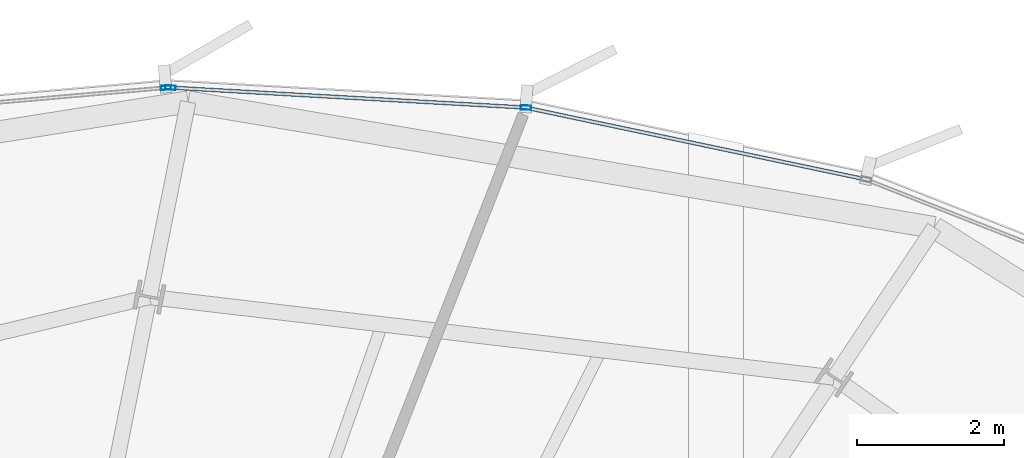
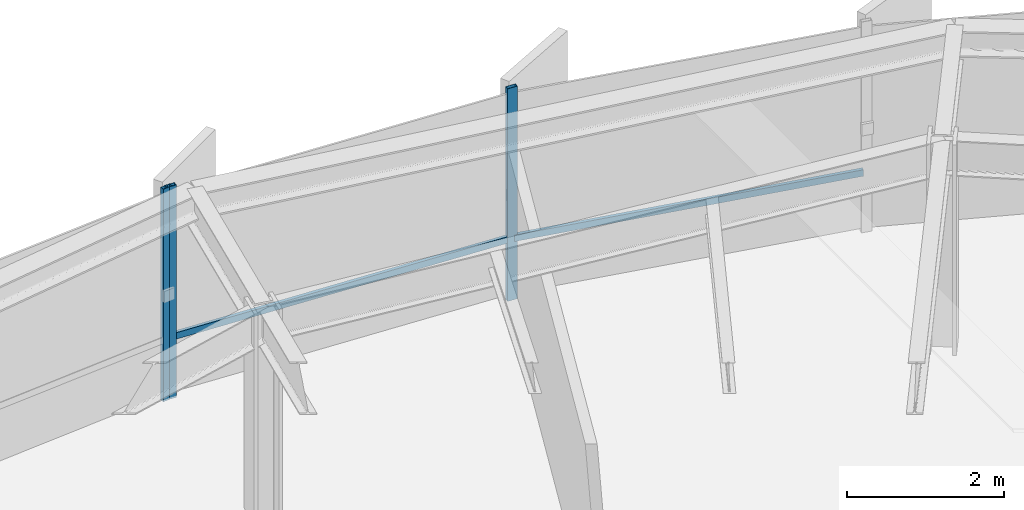
# One storey, part 27 of 35: 5 members, 2 elements without a shape of their own.
"""IFC4 building model written with IfcOpenShell, lengths in metres."""

from ifc_helpers import new_model, si_unit, direction, frame, origin, origin_2d, place, context, subcontext, project, spatial, hollow_rectangle, extrude, source, transform, mapped, material, layer, layer_set, material_profile, profile_set, type_object, element, aggregate, save


model = new_model("IFC4")

# Units and contexts
model_context = context("Model", 3, precision=1e-05, world=origin(), true_north=direction((0.0, 1.0)))
body_context = subcontext(model_context, "Body", "Model", "MODEL_VIEW")
ifc_project = project(units=[si_unit("LENGTHUNIT", "METRE"), si_unit("AREAUNIT", "SQUARE_METRE"), si_unit("VOLUMEUNIT", "CUBIC_METRE"), si_unit("PLANEANGLEUNIT", "RADIAN"), si_unit("MASSUNIT", "GRAM", prefix="KILO"), si_unit("THERMODYNAMICTEMPERATUREUNIT", "KELVIN")], contexts=[model_context])

# Site, building, storey
site_placement = place(None, origin())
site = spatial("IfcSite", under=ifc_project, at=site_placement, CompositionType="ELEMENT")
building_placement = place(site_placement, origin())
building = spatial("IfcBuilding", under=site, at=building_placement, Name="Kethvar Cultural Tower", CompositionType="ELEMENT")
storey_placement = place(building_placement, frame((0.0, 0.0, 135.89990234375)))
storey = spatial("IfcBuildingStorey", under=building, at=storey_placement, Name="L34", CompositionType="ELEMENT", Elevation=135.89990234375)

# Curtain wall, members
ifc_material = material(Name="Aluminium 6063-T6", Category="aluminium")
ifc_layer = layer(ifc_material, 0.179931640625, Name="Aluminium 6063-T6", Category="aluminium")
ifc_layer_set = layer_set([ifc_layer], Name="Aluminium 6063-T6 (180 mm)")
curtain_wall_type = type_object("IfcCurtainWallType", Name="CW-SYS-04-Z34", PredefinedType="NOTDEFINED", material=ifc_layer_set)
curtain_wall_1_placement = place(storey_placement, origin())
curtain_wall_1 = element("IfcCurtainWall", 1, at=curtain_wall_1_placement, inside=storey, type_object=curtain_wall_type, Name="L34 Curtain Wall Run 01", PredefinedType="NOTDEFINED")
ifc_material_profile_1 = material_profile(ifc_material, hollow_rectangle(XDim=0.06005859375, YDim=0.139892578125, WallThickness=0.0048828125, at=origin_2d()), Name="Aluminium 6063-T6 — RHS140x60x5")
ifc_profile_set_1 = profile_set([ifc_material_profile_1], Name="Aluminium 6063-T6 — RHS140x60x5")
member_type_1 = type_object("IfcMemberType", Name="CW-SYS-04-Z34-MUL", PredefinedType="MULLION", material=ifc_profile_set_1)
shared_shape_1 = source(origin(), body_context, "Body", "SweptSolid", [
    extrude(hollow_rectangle(XDim=0.06005859375, YDim=0.139892578125, WallThickness=0.0048828125, at=origin_2d()), origin(), (0.0, 0.0, 1.0), 3.300048828125),
])
member_1_placement = place(storey_placement, frame((56.203369140625, 51.841552734375, 0.0), z_axis=(0.0, 0.0, 1.0), x_axis=(-0.056082894258, -0.99842611593, 0.0)))
member_1 = element("IfcMember", 2, at=member_1_placement, type_object=member_type_1, Name="CW-L34-R01 Mullion 6", PredefinedType="MULLION", context=body_context, shape_type="MappedRepresentation", body=[
    mapped(shared_shape_1, transform((0.0, 0.0, 0.0), scale=1.0)),
])
member_2_placement = place(storey_placement, frame((51.355224609375, 52.11376953125, 0.0), z_axis=(0.0, 0.0, 1.0), x_axis=(-0.056082894258, -0.99842611593, 0.0)))
member_2 = element("IfcMember", 3, at=member_2_placement, type_object=member_type_1, Name="CW-L34-R01 Mullion 7", PredefinedType="MULLION", context=body_context, shape_type="MappedRepresentation", body=[
    mapped(shared_shape_1, transform((0.0, 0.0, 0.0), scale=1.0)),
])

# Curtain wall, member
curtain_wall_2_placement = place(storey_placement, origin())
curtain_wall_2 = element("IfcCurtainWall", 4, at=curtain_wall_2_placement, inside=storey, type_object=curtain_wall_type, Name="L34 Curtain Wall Run 02", PredefinedType="NOTDEFINED")
member_3_placement = place(storey_placement, frame((51.293212890625, 52.11279296875, 0.0), z_axis=(0.0, 0.0, 1.0), x_axis=(0.087051421005, -0.996203819558, 0.0)))
member_3 = element("IfcMember", 5, at=member_3_placement, type_object=member_type_1, Name="CW-L34-R02 Mullion 1", PredefinedType="MULLION", context=body_context, shape_type="MappedRepresentation", body=[
    mapped(shared_shape_1, transform((0.0, 0.0, 0.0), scale=1.0)),
])
aggregate(curtain_wall_2, [member_3])

# Member
ifc_material_profile_2 = material_profile(ifc_material, hollow_rectangle(XDim=0.050048828125, YDim=0.10009765625, WallThickness=0.00390625, at=origin_2d()), Name="Aluminium 6063-T6 — RHS100x50x4")
ifc_profile_set_2 = profile_set([ifc_material_profile_2], Name="Aluminium 6063-T6 — RHS100x50x4")
member_type_2 = type_object("IfcMemberType", Name="CW-SYS-04-Z34-TRN", PredefinedType="USERDEFINED", material=ifc_profile_set_2)
shared_shape_2 = source(origin(), body_context, "Body", "SweptSolid", [
    extrude(hollow_rectangle(XDim=0.050048828125, YDim=0.10009765625, WallThickness=0.00390625, at=origin_2d()), origin(), (0.0, 0.0, 1.0), 4.672119140625),
])
member_4_placement = place(storey_placement, frame((60.800537109375, 50.8701171875, 0.9501953125), z_axis=(-0.978455986965, 0.206455519599, 0.0), x_axis=(-0.206455519599, -0.978455986965, 0.0)))
member_4 = element("IfcMember", 6, at=member_4_placement, type_object=member_type_2, Name="CW-L34-R01 Transom 5", ObjectType="TRANSOM", PredefinedType="USERDEFINED", context=body_context, shape_type="MappedRepresentation", body=[
    mapped(shared_shape_2, transform((0.0, 0.0, 0.0), scale=1.0)),
])

shared_shape_3 = source(origin(), body_context, "Body", "SweptSolid", [
    extrude(hollow_rectangle(XDim=0.050048828125, YDim=0.10009765625, WallThickness=0.00390625, at=origin_2d()), origin(), (0.0, 0.0, 1.0), 4.80810546875),
])
member_5_placement = place(storey_placement, frame((56.16015625, 51.843994140625, 0.9501953125), z_axis=(-0.99842752671, 0.056057772949, 0.0), x_axis=(-0.056057772949, -0.99842752671, 0.0)))
member_5 = element("IfcMember", 7, at=member_5_placement, type_object=member_type_2, Name="CW-L34-R01 Transom 6", ObjectType="TRANSOM", PredefinedType="USERDEFINED", context=body_context, shape_type="MappedRepresentation", body=[
    mapped(shared_shape_3, transform((0.0, 0.0, 0.0), scale=1.0)),
])

aggregate(curtain_wall_1, [member_1, member_2, member_4, member_5])

save(model, "model.ifc")
